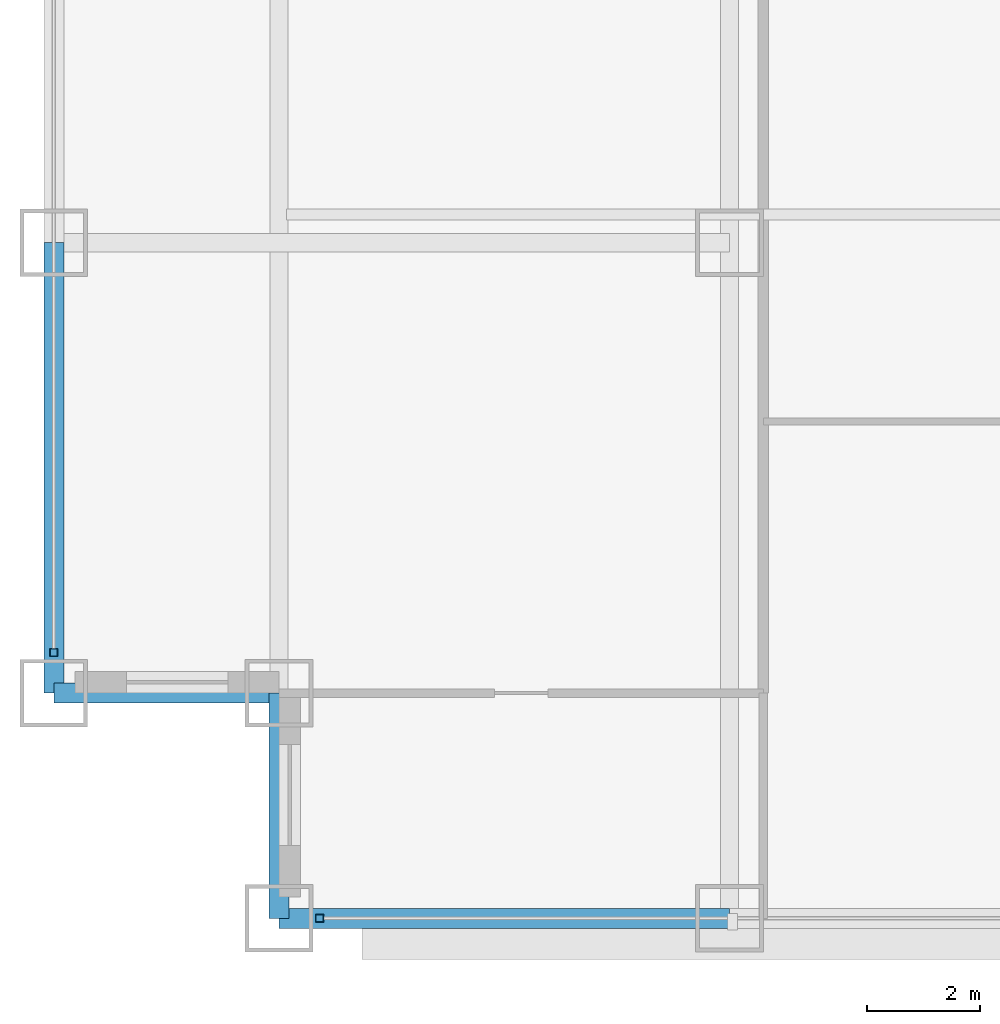
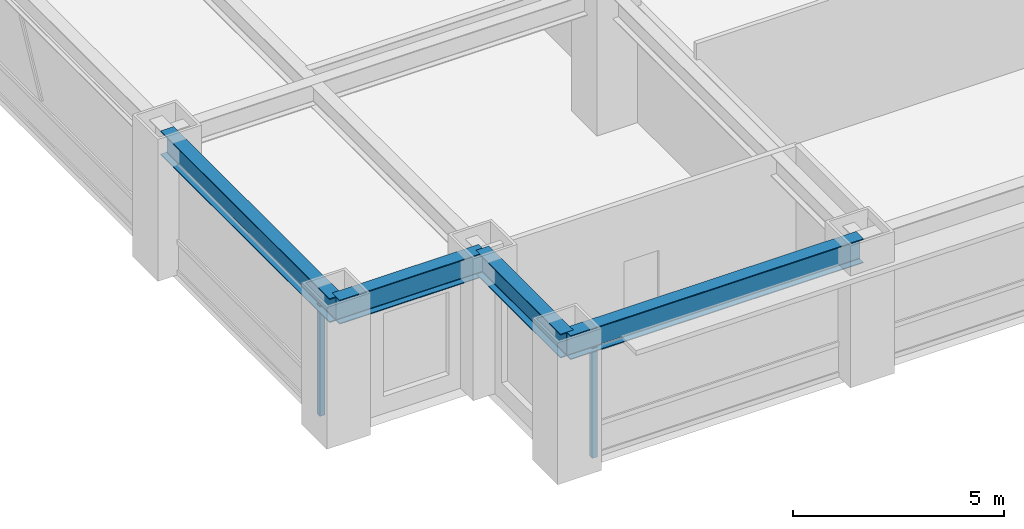
# One storey, part 2 of 32: 4 beams, 2 members, 2 elements without a shape of their own.
"""IFC4 building model written with IfcOpenShell, lengths in metres."""

from ifc_helpers import new_model, si_unit, direction, frame, origin, origin_2d, place, context, subcontext, project, spatial, hollow_rectangle, i_section, extrude, source, transform, mapped, material, material_profile, profile_set, type_object, element, aggregate, save


model = new_model("IFC4")

# Units and contexts
model_context = context("Model", 3, precision=1e-05, world=origin(), true_north=direction((0.0, 1.0)))
body_context = subcontext(model_context, "Body", "Model", "MODEL_VIEW")
ifc_project = project(units=[si_unit("LENGTHUNIT", "METRE"), si_unit("AREAUNIT", "SQUARE_METRE"), si_unit("VOLUMEUNIT", "CUBIC_METRE"), si_unit("PLANEANGLEUNIT", "RADIAN"), si_unit("MASSUNIT", "GRAM", prefix="KILO")], contexts=[model_context])

# Site, building, storey
site_placement = place(None, origin())
site = spatial("IfcSite", under=ifc_project, at=site_placement, CompositionType="ELEMENT")
building_placement = place(site_placement, origin())
building = spatial("IfcBuilding", under=site, at=building_placement, Name="Khorayat Bourse Tower", CompositionType="ELEMENT")
storey_placement = place(building_placement, frame((0.0, 0.0, 91.39990234375)))
storey = spatial("IfcBuildingStorey", under=building, at=storey_placement, Name="L20", CompositionType="ELEMENT", Elevation=91.39990234375)

# Beams
ifc_material_1 = material(Name="Steel ASTM A992 Grade 50", Category="steel")
ifc_material_profile_1 = material_profile(ifc_material_1, i_section(OverallWidth=0.35498046875, OverallDepth=0.695068359375, WebThickness=0.015380859375, FlangeThickness=0.02490234375, FilletRadius=0.01806640625, at=origin_2d()), Name="W690X217")
ifc_profile_set_1 = profile_set([ifc_material_profile_1], Name="Steel ASTM A992 Grade 50")
beam_type = type_object("IfcBeamType", Name="BM-SPAN-690", PredefinedType="SPANDREL", material=ifc_profile_set_1)
shared_shape_1 = source(origin(), body_context, "Body", "SweptSolid", [
    extrude(i_section(OverallWidth=0.35498046875, OverallDepth=0.695068359375, WebThickness=0.015380859375, FlangeThickness=0.02490234375, FilletRadius=0.01806640625, at=origin_2d()), origin(), (0.0, 0.0, 1.0), 8.0),
])
for number, where, z_axis, x_axis, name in (
    (1, (-28.0, -32.0, 3.49267578125), (1.0, 0.0, 0.0), (0.0, 1.0, 0.0), "L20 BM-SPAN-690 BM-L20-SPN-024"),
    (2, (-32.0, -28.0, 3.49267578125), (0.0, 1.0, 0.0), (-1.0, 0.0, 0.0), "L20 BM-SPAN-690 BM-L20-SPN-061"),
):
    element("IfcBeam", number, at=place(storey_placement, frame(where, z_axis=z_axis, x_axis=x_axis)), inside=storey, type_object=beam_type, Name=name, PredefinedType="SPANDREL", context=body_context, shape_type="MappedRepresentation", body=[
        mapped(shared_shape_1, transform((0.0, 0.0, 0.0), scale=1.0)),
    ])
shared_shape_2 = source(origin(), body_context, "Body", "SweptSolid", [
    extrude(i_section(OverallWidth=0.35498046875, OverallDepth=0.695068359375, WebThickness=0.015380859375, FlangeThickness=0.02490234375, FilletRadius=0.01806640625, at=origin_2d()), origin(), (0.0, 0.0, 1.0), 4.0),
])
for number, where, z_axis, x_axis, name in (
    (3, (-32.0, -28.0, 3.49267578125), (1.0, 0.0, 0.0), (0.0, 1.0, 0.0), "L20 BM-SPAN-690 BM-L20-SPN-062"),
    (4, (-28.0, -32.0, 3.49267578125), (0.0, 1.0, 0.0), (-1.0, 0.0, 0.0), "L20 BM-SPAN-690 BM-L20-SPN-063"),
):
    element("IfcBeam", number, at=place(storey_placement, frame(where, z_axis=z_axis, x_axis=x_axis)), inside=storey, type_object=beam_type, Name=name, PredefinedType="SPANDREL", context=body_context, shape_type="MappedRepresentation", body=[
        mapped(shared_shape_2, transform((0.0, 0.0, 0.0), scale=1.0)),
    ])

# Curtain wall, member
ifc_material_2 = material(Name="Aluminium EN AW-6063 T6", Category="aluminium")
curtain_wall_type = type_object("IfcCurtainWallType", Name="CW-SYS-02", PredefinedType="NOTDEFINED", material=ifc_material_2)
curtain_wall_1_placement = place(storey_placement, origin())
curtain_wall_1 = element("IfcCurtainWall", 5, at=curtain_wall_1_placement, inside=storey, type_object=curtain_wall_type, Name="L20 Curtain Wall CW-L20-S1", PredefinedType="NOTDEFINED")
ifc_material_profile_2 = material_profile(ifc_material_2, hollow_rectangle(XDim=0.139892578125, YDim=0.139892578125, WallThickness=0.006103515625, at=origin_2d()), Name="ALU 140x140x6")
ifc_profile_set_2 = profile_set([ifc_material_profile_2], Name="Aluminium EN AW-6063 T6")
member_type = type_object("IfcMemberType", Name="CWM-VERT-140", PredefinedType="MULLION", material=ifc_profile_set_2)
shared_shape_3 = source(origin(), body_context, "Body", "SweptSolid", [
    extrude(hollow_rectangle(XDim=0.139892578125, YDim=0.139892578125, WallThickness=0.006103515625, at=origin_2d()), origin(), (0.0, 0.0, 1.0), 3.190185546875),
])
member_1_placement = place(storey_placement, frame((-27.280029296875, -32.0, 0.0), z_axis=(0.0, 0.0, 1.0), x_axis=(0.0, 1.0, 0.0)))
member_1 = element("IfcMember", 6, at=member_1_placement, type_object=member_type, Name="CW-L20-S1 Vertical Mullion 1", PredefinedType="MULLION", context=body_context, shape_type="MappedRepresentation", body=[
    mapped(shared_shape_3, transform((0.0, 0.0, 0.0), scale=1.0)),
])
aggregate(curtain_wall_1, [member_1])

curtain_wall_2_placement = place(storey_placement, origin())
curtain_wall_2 = element("IfcCurtainWall", 7, at=curtain_wall_2_placement, inside=storey, type_object=curtain_wall_type, Name="L20 Curtain Wall CW-L20-W1", PredefinedType="NOTDEFINED")
member_2_placement = place(storey_placement, frame((-32.0, -27.280029296875, 0.0), z_axis=(0.0, 0.0, 1.0), x_axis=(-1.0, 0.0, 0.0)))
member_2 = element("IfcMember", 8, at=member_2_placement, type_object=member_type, Name="CW-L20-W1 Vertical Mullion 1", PredefinedType="MULLION", context=body_context, shape_type="MappedRepresentation", body=[
    mapped(shared_shape_3, transform((0.0, 0.0, 0.0), scale=1.0)),
])
aggregate(curtain_wall_2, [member_2])

save(model, "model.ifc")
